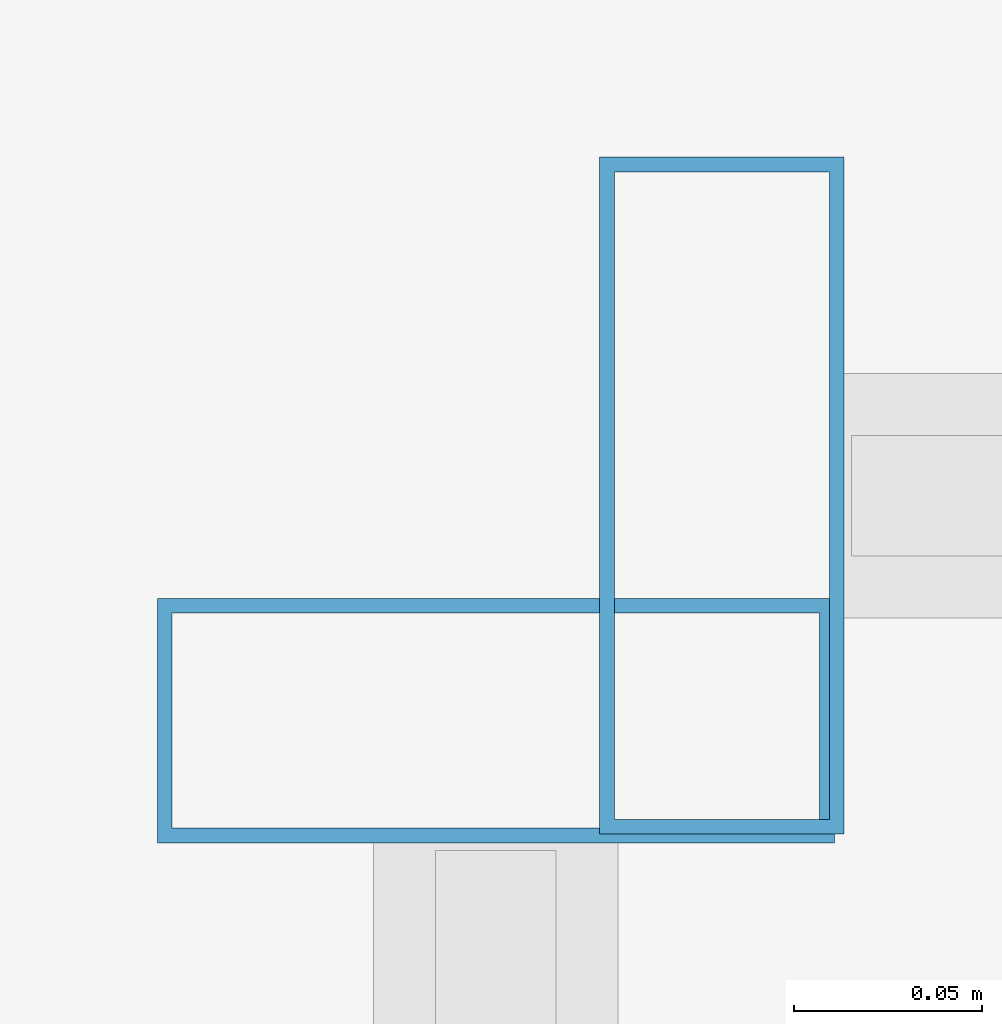
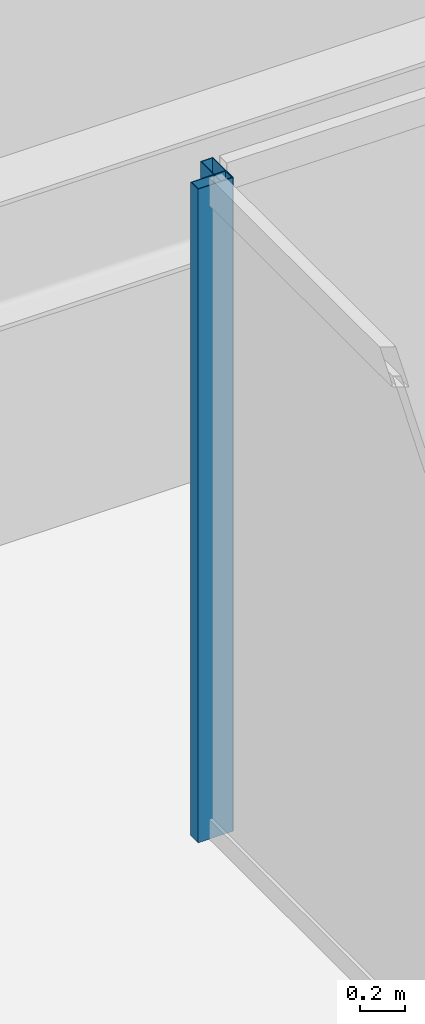
# One storey, part 13 of 36: 2 members, 2 elements without a shape of their own.
"""IFC4 building model written with IfcOpenShell, lengths in metres."""

from ifc_helpers import new_model, si_unit, direction, frame, origin, origin_2d, place, context, subcontext, project, spatial, hollow_rectangle, extrude, material, material_profile, profile_set, type_object, element, aggregate, save


model = new_model("IFC4")

# Units and contexts
model_context = context("Model", 3, precision=1e-05, world=origin(), true_north=direction((0.0, 1.0)))
body_context = subcontext(model_context, "Body", "Model", "MODEL_VIEW")
ifc_project = project(units=[si_unit("LENGTHUNIT", "METRE"), si_unit("AREAUNIT", "SQUARE_METRE"), si_unit("VOLUMEUNIT", "CUBIC_METRE"), si_unit("PLANEANGLEUNIT", "RADIAN"), si_unit("MASSUNIT", "GRAM", prefix="KILO")], contexts=[model_context])

# Site, building, storey
site_placement = place(None, origin())
site = spatial("IfcSite", under=ifc_project, at=site_placement, CompositionType="ELEMENT")
building_placement = place(site_placement, origin())
building = spatial("IfcBuilding", under=site, at=building_placement, Name="Saevonmaru Cultural Tower", CompositionType="ELEMENT")
storey_placement = place(building_placement, frame((0.0, 0.0, 209.39990234375)))
storey = spatial("IfcBuildingStorey", under=building, at=storey_placement, Name="L48", CompositionType="ELEMENT", Elevation=209.39990234375)

# Curtain wall, member
ifc_material = material(Name="Satin Bronze Anodised Aluminium", Category="aluminium")
curtain_wall_type = type_object("IfcCurtainWallType", Name="CW-ATR-GLZ", PredefinedType="NOTDEFINED", material=ifc_material)
curtain_wall_1_placement = place(storey_placement, origin())
curtain_wall_1 = element("IfcCurtainWall", 1, at=curtain_wall_1_placement, inside=storey, type_object=curtain_wall_type, Name="L48 Vertical Atrium Glazed Smoke Screen 3", PredefinedType="NOTDEFINED")
ifc_material_profile = material_profile(ifc_material, hollow_rectangle(XDim=0.06494140625, YDim=0.179931640625, WallThickness=0.00390625, at=origin_2d()), Name="ALU-MULL-180x65x4")
ifc_profile_set = profile_set([ifc_material_profile], Name="Satin Bronze Anodised Aluminium")
member_type = type_object("IfcMemberType", Name="ML-CW-INT-180x65", PredefinedType="MULLION", material=ifc_profile_set)
member_1_placement = place(storey_placement, frame((24.110107421875, 36.6298828125, 0.0), z_axis=(0.0, 0.0, 1.0), x_axis=(-1.0, 0.0, 0.0)))
member_1 = element("IfcMember", 2, at=member_1_placement, type_object=member_type, Name="CW-ATR-L48-3 mullion 2", PredefinedType="MULLION", context=body_context, shape_type="SweptSolid", body=[
    extrude(hollow_rectangle(XDim=0.06494140625, YDim=0.179931640625, WallThickness=0.00390625, at=origin_2d()), origin(), (0.0, 0.0, 1.0), 3.550048828125),
])
aggregate(curtain_wall_1, [member_1])

curtain_wall_2_placement = place(storey_placement, origin())
curtain_wall_2 = element("IfcCurtainWall", 3, at=curtain_wall_2_placement, inside=storey, type_object=curtain_wall_type, Name="L48 Vertical Atrium Glazed Smoke Screen 4", PredefinedType="NOTDEFINED")
member_2_placement = place(storey_placement, frame((24.050048828125, 36.570068359375, 0.0), z_axis=(0.0, 0.0, 1.0), x_axis=(0.0, -1.0, 0.0)))
member_2 = element("IfcMember", 4, at=member_2_placement, type_object=member_type, Name="CW-ATR-L48-4 mullion 1", PredefinedType="MULLION", context=body_context, shape_type="SweptSolid", body=[
    extrude(hollow_rectangle(XDim=0.06494140625, YDim=0.179931640625, WallThickness=0.00390625, at=origin_2d()), origin(), (0.0, 0.0, 1.0), 3.550048828125),
])
aggregate(curtain_wall_2, [member_2])

save(model, "model.ifc")
